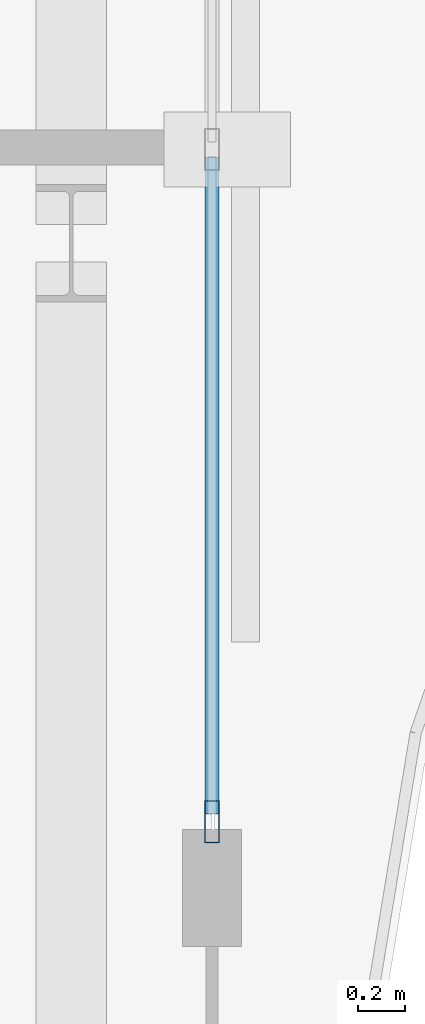
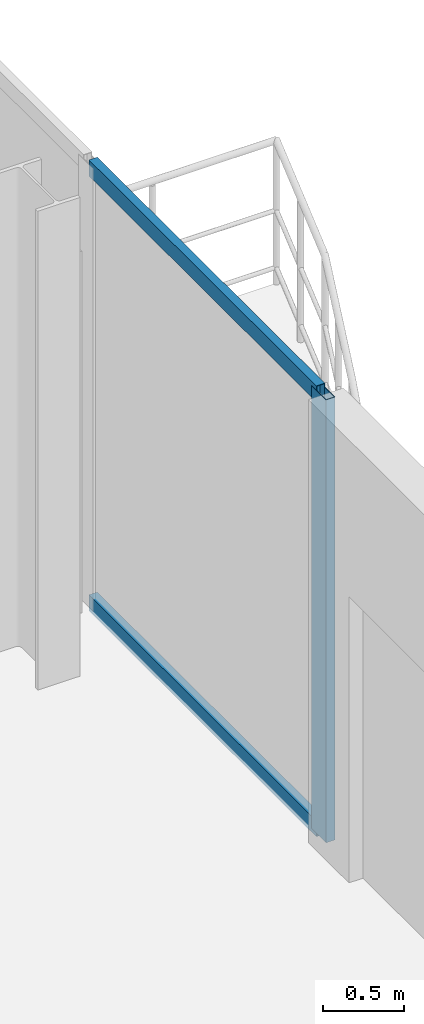
# One storey, part 14 of 23: 3 members, 1 element without a shape of its own.
"""IFC4 building model written with IfcOpenShell, lengths in metres."""

from ifc_helpers import new_model, si_unit, direction, frame, origin, origin_2d, place, context, subcontext, project, spatial, hollow_rectangle, extrude, material, layer, layer_set, material_profile, profile_set, type_object, element, aggregate, save


model = new_model("IFC4")

# Units and contexts
model_context = context("Model", 3, precision=1e-05, world=origin(), true_north=direction((0.0, 1.0)))
body_context = subcontext(model_context, "Body", "Model", "MODEL_VIEW")
ifc_project = project(units=[si_unit("LENGTHUNIT", "METRE"), si_unit("AREAUNIT", "SQUARE_METRE"), si_unit("VOLUMEUNIT", "CUBIC_METRE"), si_unit("PLANEANGLEUNIT", "RADIAN"), si_unit("MASSUNIT", "GRAM", prefix="KILO")], contexts=[model_context])

# Site, building, storey
site_placement = place(None, origin())
site = spatial("IfcSite", under=ifc_project, at=site_placement, CompositionType="ELEMENT")
building_placement = place(site_placement, origin())
building = spatial("IfcBuilding", under=site, at=building_placement, Name="Catumbela Crestline Tower", CompositionType="ELEMENT")
storey_placement = place(building_placement, frame((0.0, 0.0, 201.0)))
storey = spatial("IfcBuildingStorey", under=building, at=storey_placement, Name="L52", CompositionType="ELEMENT", Elevation=201.0)

# Curtain wall, members
ifc_material = material(Name="Aluminium alloy AW-6060-T66", Category="aluminium")
ifc_layer = layer(ifc_material, 0.18, Name="Aluminium alloy AW-6060-T66")
ifc_layer_set = layer_set([ifc_layer], Name="Aluminium alloy AW-6060-T66")
curtain_wall_type = type_object("IfcCurtainWallType", Name="CWU-Z3", PredefinedType="USERDEFINED", material=ifc_layer_set)
curtain_wall_placement = place(storey_placement, origin())
curtain_wall = element("IfcCurtainWall", 1, at=curtain_wall_placement, inside=storey, type_object=curtain_wall_type, Name="L52 Unitised Curtain Wall CW-L52-E5S2", ObjectType="UNITISED", PredefinedType="USERDEFINED")
ifc_material_profile_1 = material_profile(ifc_material, hollow_rectangle(XDim=0.065, YDim=0.18, WallThickness=0.004, at=origin_2d()), Name="ALU 180x65x4")
ifc_profile_set_1 = profile_set([ifc_material_profile_1], Name="Aluminium alloy AW-6060-T66")
member_type_1 = type_object("IfcMemberType", Name="MUL-180X65", PredefinedType="MULLION", material=ifc_profile_set_1)
member_1_placement = place(storey_placement, frame((51.0, 33.7325, 0.0), z_axis=(0.0, 0.0, 1.0), x_axis=(-1.0, 0.0, 0.0)))
member_1 = element("IfcMember", 2, at=member_1_placement, type_object=member_type_1, Name="CWU-Z3 mullion 1", PredefinedType="MULLION", context=body_context, shape_type="SweptSolid", body=[
    extrude(hollow_rectangle(XDim=0.065, YDim=0.18, WallThickness=0.004, at=origin_2d()), origin(), (0.0, 0.0, 1.0), 3.33),
])
ifc_material_profile_2 = material_profile(ifc_material, hollow_rectangle(XDim=0.06, YDim=0.12, WallThickness=0.0035, at=origin_2d()), Name="ALU 120x60x3.5")
ifc_profile_set_2 = profile_set([ifc_material_profile_2], Name="Aluminium alloy AW-6060-T66")
member_type_2 = type_object("IfcMemberType", Name="TRN-120X60", PredefinedType="USERDEFINED", material=ifc_profile_set_2)
member_2_placement = place(storey_placement, frame((51.0, 33.765, 0.03), z_axis=(0.0, 1.0, 0.0), x_axis=(-1.0, 0.0, 0.0)))
member_2 = element("IfcMember", 3, at=member_2_placement, type_object=member_type_2, Name="CWU-Z3 transom 1.1", ObjectType="TRANSOM", PredefinedType="USERDEFINED", context=body_context, shape_type="SweptSolid", body=[
    extrude(hollow_rectangle(XDim=0.06, YDim=0.12, WallThickness=0.0035, at=origin_2d()), origin(), (0.0, 0.0, 1.0), 2.8025),
])
member_3_placement = place(storey_placement, frame((51.0, 33.765, 3.3), z_axis=(0.0, 1.0, 0.0), x_axis=(-1.0, 0.0, 0.0)))
member_3 = element("IfcMember", 4, at=member_3_placement, type_object=member_type_2, Name="CWU-Z3 transom 1.2", ObjectType="TRANSOM", PredefinedType="USERDEFINED", context=body_context, shape_type="SweptSolid", body=[
    extrude(hollow_rectangle(XDim=0.06, YDim=0.12, WallThickness=0.0035, at=origin_2d()), origin(), (0.0, 0.0, 1.0), 2.8025),
])
aggregate(curtain_wall, [member_1, member_2, member_3])

save(model, "model.ifc")
